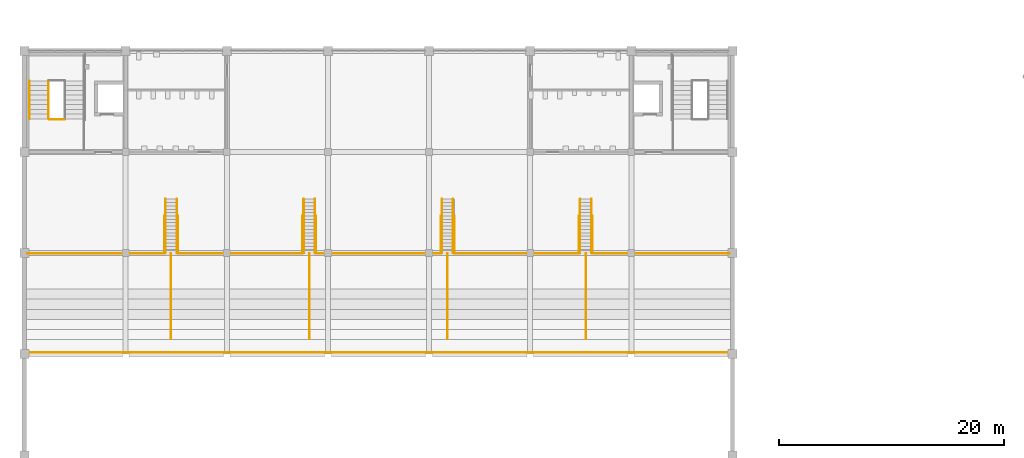
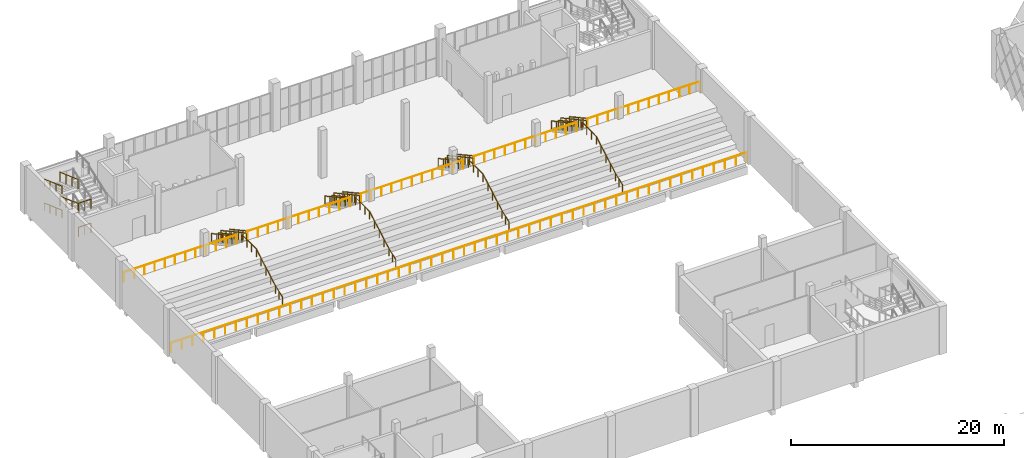
# One storey, part 175 of 185: 32 railings.
"""IFC4 building model written with IfcOpenShell, lengths in metres."""

from ifc_helpers import new_model, si_unit, direction, frame, origin, origin_2d, place, context, subcontext, project, spatial, circle, extrude, material, constituent, constituent_set, type_object, element, save


model = new_model("IFC4")

# Units and contexts
model_context = context("Model", 3, precision=1e-05, world=origin(), true_north=direction((0.0, 1.0)))
body_context = subcontext(model_context, "Body", "Model", "MODEL_VIEW")
ifc_project = project(units=[si_unit("LENGTHUNIT", "METRE"), si_unit("AREAUNIT", "SQUARE_METRE"), si_unit("VOLUMEUNIT", "CUBIC_METRE"), si_unit("PLANEANGLEUNIT", "RADIAN"), si_unit("MASSUNIT", "GRAM", prefix="KILO")], contexts=[model_context])

# Site, building, storey
site_placement = place(None, origin())
site = spatial("IfcSite", under=ifc_project, at=site_placement, CompositionType="ELEMENT")
building_placement = place(site_placement, origin())
building = spatial("IfcBuilding", under=site, at=building_placement, Name="Opaline Strait Convention Centre", CompositionType="ELEMENT")
storey_placement = place(building_placement, frame((0.0, 0.0, 6.0)))
storey = spatial("IfcBuildingStorey", under=building, at=storey_placement, Name="L01", CompositionType="ELEMENT", Elevation=6.0)

# Railings
ifc_material_1 = material(Name="Stainless steel 304", Category="steel")
railing_type_1 = type_object("IfcRailingType", Name="Aisle handrail 900", PredefinedType="HANDRAIL", material=ifc_material_1)
railing_1_placement = place(storey_placement, frame((22.050048828125, 154.35009765625, 0.25)))
element("IfcRailing", 1, at=railing_1_placement, inside=storey, type_object=railing_type_1, Name="PHR1 Circle aisle 1 handrail", PredefinedType="HANDRAIL", context=body_context, shape_type="SweptSolid", body=[
    extrude(circle(Radius=0.02392578125, at=origin_2d()), frame((0.0, 0.0, 0.8759765625), z_axis=(0.0, 0.934265159793, 0.3565790392), x_axis=(-1.0, 0.0, 0.0)), (0.0, 0.0, 1.0), 1.391357421875),
    extrude(circle(Radius=0.02392578125, at=origin_2d()), frame((0.0, 1.2998046875, 1.3720703125), z_axis=(0.0, 0.872096259375, 0.489334358475), x_axis=(-1.0, 0.0, 0.0)), (0.0, 0.0, 1.0), 2.06396484375),
    extrude(circle(Radius=0.02392578125, at=origin_2d()), frame((0.0, 3.099853515625, 2.3818359375), z_axis=(0.0, 0.867742963431, 0.497013228613), x_axis=(-1.0, 0.0, 0.0)), (0.0, 0.0, 1.0), 2.074462890625),
    extrude(circle(Radius=0.02392578125, at=origin_2d()), frame((0.0, 4.89990234375, 3.4130859375), z_axis=(0.0, 1.0, 0.0), x_axis=(-1.0, 0.0, 0.0)), (0.0, 0.0, 1.0), 2.699951171875),
    extrude(circle(Radius=0.02099609375, at=origin_2d()), origin(), (0.0, 0.0, 1.0), 0.851806640625),
    extrude(circle(Radius=0.02099609375, at=origin_2d()), frame((0.0, 0.64990234375, 0.248046875)), (0.0, 0.0, 1.0), 0.851806640625),
    extrude(circle(Radius=0.02099609375, at=origin_2d()), frame((0.0, 1.2998046875, 0.49609375)), (0.0, 0.0, 1.0), 0.851806640625),
    extrude(circle(Radius=0.02099609375, at=origin_2d()), frame((0.0, 2.19970703125, 1.0009765625)), (0.0, 0.0, 1.0), 0.851806640625),
    extrude(circle(Radius=0.02099609375, at=origin_2d()), frame((0.0, 3.099853515625, 1.506103515625)), (0.0, 0.0, 1.0), 0.851806640625),
    extrude(circle(Radius=0.02099609375, at=origin_2d()), frame((0.0, 4.0, 2.021484375)), (0.0, 0.0, 1.0), 0.851806640625),
    extrude(circle(Radius=0.02099609375, at=origin_2d()), frame((0.0, 4.89990234375, 2.537109375)), (0.0, 0.0, 1.0), 0.851806640625),
    extrude(circle(Radius=0.02099609375, at=origin_2d()), frame((0.0, 5.7998046875, 2.537109375)), (0.0, 0.0, 1.0), 0.851806640625),
    extrude(circle(Radius=0.02099609375, at=origin_2d()), frame((0.0, 6.699951171875, 2.537109375)), (0.0, 0.0, 1.0), 0.851806640625),
    extrude(circle(Radius=0.02099609375, at=origin_2d()), frame((0.0, 7.599853515625, 2.537109375)), (0.0, 0.0, 1.0), 0.851806640625),
])
railing_2_placement = place(storey_placement, frame((34.35009765625, 154.35009765625, 0.25)))
element("IfcRailing", 2, at=railing_2_placement, inside=storey, type_object=railing_type_1, Name="PHR1 Circle aisle 2 handrail", PredefinedType="HANDRAIL", context=body_context, shape_type="SweptSolid", body=[
    extrude(circle(Radius=0.02392578125, at=origin_2d()), frame((0.0, 0.0, 0.8759765625), z_axis=(0.0, 0.934265159793, 0.3565790392), x_axis=(-1.0, 0.0, 0.0)), (0.0, 0.0, 1.0), 1.391357421875),
    extrude(circle(Radius=0.02392578125, at=origin_2d()), frame((0.0, 1.2998046875, 1.3720703125), z_axis=(0.0, 0.872096259375, 0.489334358475), x_axis=(-1.0, 0.0, 0.0)), (0.0, 0.0, 1.0), 2.06396484375),
    extrude(circle(Radius=0.02392578125, at=origin_2d()), frame((0.0, 3.099853515625, 2.3818359375), z_axis=(0.0, 0.867742963431, 0.497013228613), x_axis=(-1.0, 0.0, 0.0)), (0.0, 0.0, 1.0), 2.074462890625),
    extrude(circle(Radius=0.02392578125, at=origin_2d()), frame((0.0, 4.89990234375, 3.4130859375), z_axis=(0.0, 1.0, 0.0), x_axis=(-1.0, 0.0, 0.0)), (0.0, 0.0, 1.0), 2.699951171875),
    extrude(circle(Radius=0.02099609375, at=origin_2d()), origin(), (0.0, 0.0, 1.0), 0.851806640625),
    extrude(circle(Radius=0.02099609375, at=origin_2d()), frame((0.0, 0.64990234375, 0.248046875)), (0.0, 0.0, 1.0), 0.851806640625),
    extrude(circle(Radius=0.02099609375, at=origin_2d()), frame((0.0, 1.2998046875, 0.49609375)), (0.0, 0.0, 1.0), 0.851806640625),
    extrude(circle(Radius=0.02099609375, at=origin_2d()), frame((0.0, 2.19970703125, 1.0009765625)), (0.0, 0.0, 1.0), 0.851806640625),
    extrude(circle(Radius=0.02099609375, at=origin_2d()), frame((0.0, 3.099853515625, 1.506103515625)), (0.0, 0.0, 1.0), 0.851806640625),
    extrude(circle(Radius=0.02099609375, at=origin_2d()), frame((0.0, 4.0, 2.021484375)), (0.0, 0.0, 1.0), 0.851806640625),
    extrude(circle(Radius=0.02099609375, at=origin_2d()), frame((0.0, 4.89990234375, 2.537109375)), (0.0, 0.0, 1.0), 0.851806640625),
    extrude(circle(Radius=0.02099609375, at=origin_2d()), frame((0.0, 5.7998046875, 2.537109375)), (0.0, 0.0, 1.0), 0.851806640625),
    extrude(circle(Radius=0.02099609375, at=origin_2d()), frame((0.0, 6.699951171875, 2.537109375)), (0.0, 0.0, 1.0), 0.851806640625),
    extrude(circle(Radius=0.02099609375, at=origin_2d()), frame((0.0, 7.599853515625, 2.537109375)), (0.0, 0.0, 1.0), 0.851806640625),
])
railing_3_placement = place(storey_placement, frame((46.64990234375, 154.35009765625, 0.25)))
element("IfcRailing", 3, at=railing_3_placement, inside=storey, type_object=railing_type_1, Name="PHR1 Circle aisle 3 handrail", PredefinedType="HANDRAIL", context=body_context, shape_type="SweptSolid", body=[
    extrude(circle(Radius=0.02392578125, at=origin_2d()), frame((0.0, 0.0, 0.8759765625), z_axis=(0.0, 0.934265159793, 0.3565790392), x_axis=(-1.0, 0.0, 0.0)), (0.0, 0.0, 1.0), 1.391357421875),
    extrude(circle(Radius=0.02392578125, at=origin_2d()), frame((0.0, 1.2998046875, 1.3720703125), z_axis=(0.0, 0.872096259375, 0.489334358475), x_axis=(-1.0, 0.0, 0.0)), (0.0, 0.0, 1.0), 2.06396484375),
    extrude(circle(Radius=0.02392578125, at=origin_2d()), frame((0.0, 3.099853515625, 2.3818359375), z_axis=(0.0, 0.867742963431, 0.497013228613), x_axis=(-1.0, 0.0, 0.0)), (0.0, 0.0, 1.0), 2.074462890625),
    extrude(circle(Radius=0.02392578125, at=origin_2d()), frame((0.0, 4.89990234375, 3.4130859375), z_axis=(0.0, 1.0, 0.0), x_axis=(-1.0, 0.0, 0.0)), (0.0, 0.0, 1.0), 2.699951171875),
    extrude(circle(Radius=0.02099609375, at=origin_2d()), origin(), (0.0, 0.0, 1.0), 0.851806640625),
    extrude(circle(Radius=0.02099609375, at=origin_2d()), frame((0.0, 0.64990234375, 0.248046875)), (0.0, 0.0, 1.0), 0.851806640625),
    extrude(circle(Radius=0.02099609375, at=origin_2d()), frame((0.0, 1.2998046875, 0.49609375)), (0.0, 0.0, 1.0), 0.851806640625),
    extrude(circle(Radius=0.02099609375, at=origin_2d()), frame((0.0, 2.19970703125, 1.0009765625)), (0.0, 0.0, 1.0), 0.851806640625),
    extrude(circle(Radius=0.02099609375, at=origin_2d()), frame((0.0, 3.099853515625, 1.506103515625)), (0.0, 0.0, 1.0), 0.851806640625),
    extrude(circle(Radius=0.02099609375, at=origin_2d()), frame((0.0, 4.0, 2.021484375)), (0.0, 0.0, 1.0), 0.851806640625),
    extrude(circle(Radius=0.02099609375, at=origin_2d()), frame((0.0, 4.89990234375, 2.537109375)), (0.0, 0.0, 1.0), 0.851806640625),
    extrude(circle(Radius=0.02099609375, at=origin_2d()), frame((0.0, 5.7998046875, 2.537109375)), (0.0, 0.0, 1.0), 0.851806640625),
    extrude(circle(Radius=0.02099609375, at=origin_2d()), frame((0.0, 6.699951171875, 2.537109375)), (0.0, 0.0, 1.0), 0.851806640625),
    extrude(circle(Radius=0.02099609375, at=origin_2d()), frame((0.0, 7.599853515625, 2.537109375)), (0.0, 0.0, 1.0), 0.851806640625),
])
railing_4_placement = place(storey_placement, frame((58.949951171875, 154.35009765625, 0.25)))
element("IfcRailing", 4, at=railing_4_placement, inside=storey, type_object=railing_type_1, Name="PHR1 Circle aisle 4 handrail", PredefinedType="HANDRAIL", context=body_context, shape_type="SweptSolid", body=[
    extrude(circle(Radius=0.02392578125, at=origin_2d()), frame((0.0, 0.0, 0.8759765625), z_axis=(0.0, 0.934265159793, 0.3565790392), x_axis=(-1.0, 0.0, 0.0)), (0.0, 0.0, 1.0), 1.391357421875),
    extrude(circle(Radius=0.02392578125, at=origin_2d()), frame((0.0, 1.2998046875, 1.3720703125), z_axis=(0.0, 0.872096259375, 0.489334358475), x_axis=(-1.0, 0.0, 0.0)), (0.0, 0.0, 1.0), 2.06396484375),
    extrude(circle(Radius=0.02392578125, at=origin_2d()), frame((0.0, 3.099853515625, 2.3818359375), z_axis=(0.0, 0.867742963431, 0.497013228613), x_axis=(-1.0, 0.0, 0.0)), (0.0, 0.0, 1.0), 2.074462890625),
    extrude(circle(Radius=0.02392578125, at=origin_2d()), frame((0.0, 4.89990234375, 3.4130859375), z_axis=(0.0, 1.0, 0.0), x_axis=(-1.0, 0.0, 0.0)), (0.0, 0.0, 1.0), 2.699951171875),
    extrude(circle(Radius=0.02099609375, at=origin_2d()), origin(), (0.0, 0.0, 1.0), 0.851806640625),
    extrude(circle(Radius=0.02099609375, at=origin_2d()), frame((0.0, 0.64990234375, 0.248046875)), (0.0, 0.0, 1.0), 0.851806640625),
    extrude(circle(Radius=0.02099609375, at=origin_2d()), frame((0.0, 1.2998046875, 0.49609375)), (0.0, 0.0, 1.0), 0.851806640625),
    extrude(circle(Radius=0.02099609375, at=origin_2d()), frame((0.0, 2.19970703125, 1.0009765625)), (0.0, 0.0, 1.0), 0.851806640625),
    extrude(circle(Radius=0.02099609375, at=origin_2d()), frame((0.0, 3.099853515625, 1.506103515625)), (0.0, 0.0, 1.0), 0.851806640625),
    extrude(circle(Radius=0.02099609375, at=origin_2d()), frame((0.0, 4.0, 2.021484375)), (0.0, 0.0, 1.0), 0.851806640625),
    extrude(circle(Radius=0.02099609375, at=origin_2d()), frame((0.0, 4.89990234375, 2.537109375)), (0.0, 0.0, 1.0), 0.851806640625),
    extrude(circle(Radius=0.02099609375, at=origin_2d()), frame((0.0, 5.7998046875, 2.537109375)), (0.0, 0.0, 1.0), 0.851806640625),
    extrude(circle(Radius=0.02099609375, at=origin_2d()), frame((0.0, 6.699951171875, 2.537109375)), (0.0, 0.0, 1.0), 0.851806640625),
    extrude(circle(Radius=0.02099609375, at=origin_2d()), frame((0.0, 7.599853515625, 2.537109375)), (0.0, 0.0, 1.0), 0.851806640625),
])
for number, where, name in (
    (5, (21.550048828125, 166.800048828125, 0.163818359375), "PHR1 Circle entry stair 1 handrail"),
    (6, (22.550048828125, 166.800048828125, 0.163818359375), "PHR1 Circle entry stair 1 handrail"),
    (7, (33.85009765625, 166.800048828125, 0.163818359375), "PHR1 Circle entry stair 2 handrail"),
    (8, (34.85009765625, 166.800048828125, 0.163818359375), "PHR1 Circle entry stair 2 handrail"),
    (9, (46.14990234375, 166.800048828125, 0.163818359375), "PHR1 Circle entry stair 3 handrail"),
    (10, (47.14990234375, 166.800048828125, 0.163818359375), "PHR1 Circle entry stair 3 handrail"),
    (11, (58.449951171875, 166.800048828125, 0.163818359375), "PHR1 Circle entry stair 4 handrail"),
    (12, (59.449951171875, 166.800048828125, 0.163818359375), "PHR1 Circle entry stair 4 handrail"),
):
    element("IfcRailing", number, at=place(storey_placement, frame(where)), inside=storey, type_object=railing_type_1, Name=name, PredefinedType="HANDRAIL", context=body_context, shape_type="SweptSolid", body=[
        extrude(circle(Radius=0.02392578125, at=origin_2d()), frame((0.0, 0.0, 0.8759765625), z_axis=(0.0, -0.877504682041, 0.4795680692), x_axis=(1.0, 0.0, 0.0)), (0.0, 0.0, 1.0), 5.47021484375),
        extrude(circle(Radius=0.02099609375, at=origin_2d()), origin(), (0.0, 0.0, 1.0), 0.851806640625),
        extrude(circle(Radius=0.02099609375, at=origin_2d()), frame((0.0, -0.9599609375, 0.524658203125)), (0.0, 0.0, 1.0), 0.851806640625),
        extrude(circle(Radius=0.02099609375, at=origin_2d()), frame((0.0, -1.919921875, 1.04931640625)), (0.0, 0.0, 1.0), 0.851806640625),
        extrude(circle(Radius=0.02099609375, at=origin_2d()), frame((0.0, -2.880126953125, 1.573974609375)), (0.0, 0.0, 1.0), 0.851806640625),
        extrude(circle(Radius=0.02099609375, at=origin_2d()), frame((0.0, -3.840087890625, 2.0986328125)), (0.0, 0.0, 1.0), 0.851806640625),
        extrude(circle(Radius=0.02099609375, at=origin_2d()), frame((0.0, -4.800048828125, 2.623291015625)), (0.0, 0.0, 1.0), 0.851806640625),
    ])
ifc_material_2 = material(Name="Steel Q355B", Category="steel")
ifc_constituent_1 = constituent(ifc_material_2, Name="Frame")
ifc_material_3 = material(Name="Safety glass, bonded interlayer", Category="glass")
ifc_constituent_2 = constituent(ifc_material_3, Name="Infill")
ifc_constituent_set = constituent_set(constituents=[ifc_constituent_1, ifc_constituent_2], Name="Steel Q355B, Safety glass, bonded interlayer")
railing_type_2 = type_object("IfcRailingType", Name="Seating guard 1100 steel and glass", PredefinedType="GUARDRAIL", material=ifc_constituent_set)
railing_5_placement = place(storey_placement, frame((9.25, 153.14990234375, 0.0)))
element("IfcRailing", 13, at=railing_5_placement, inside=storey, type_object=railing_type_2, Name="PGD1 circle front guard", PredefinedType="GUARDRAIL", context=body_context, shape_type="SweptSolid", body=[
    extrude(circle(Radius=0.02392578125, at=origin_2d()), frame((0.0, 0.0, 1.076171875), z_axis=(1.0, 0.0, 0.0), x_axis=(0.0, 1.0, 0.0)), (0.0, 0.0, 1.0), 62.5),
    extrude(circle(Radius=0.02099609375, at=origin_2d()), origin(), (0.0, 0.0, 1.0), 1.052001953125),
    extrude(circle(Radius=0.02099609375, at=origin_2d()), frame((1.17919921875, 0.0, 0.0)), (0.0, 0.0, 1.0), 1.052001953125),
    extrude(circle(Radius=0.02099609375, at=origin_2d()), frame((2.3583984375, 0.0, 0.0)), (0.0, 0.0, 1.0), 1.052001953125),
    extrude(circle(Radius=0.02099609375, at=origin_2d()), frame((3.537841796875, 0.0, 0.0)), (0.0, 0.0, 1.0), 1.052001953125),
    extrude(circle(Radius=0.02099609375, at=origin_2d()), frame((4.717041015625, 0.0, 0.0)), (0.0, 0.0, 1.0), 1.052001953125),
    extrude(circle(Radius=0.02099609375, at=origin_2d()), frame((5.896240234375, 0.0, 0.0)), (0.0, 0.0, 1.0), 1.052001953125),
    extrude(circle(Radius=0.02099609375, at=origin_2d()), frame((7.075439453125, 0.0, 0.0)), (0.0, 0.0, 1.0), 1.052001953125),
    extrude(circle(Radius=0.02099609375, at=origin_2d()), frame((8.254638671875, 0.0, 0.0)), (0.0, 0.0, 1.0), 1.052001953125),
    extrude(circle(Radius=0.02099609375, at=origin_2d()), frame((9.43408203125, 0.0, 0.0)), (0.0, 0.0, 1.0), 1.052001953125),
    extrude(circle(Radius=0.02099609375, at=origin_2d()), frame((10.61328125, 0.0, 0.0)), (0.0, 0.0, 1.0), 1.052001953125),
    extrude(circle(Radius=0.02099609375, at=origin_2d()), frame((11.79248046875, 0.0, 0.0)), (0.0, 0.0, 1.0), 1.052001953125),
    extrude(circle(Radius=0.02099609375, at=origin_2d()), frame((12.9716796875, 0.0, 0.0)), (0.0, 0.0, 1.0), 1.052001953125),
    extrude(circle(Radius=0.02099609375, at=origin_2d()), frame((14.15087890625, 0.0, 0.0)), (0.0, 0.0, 1.0), 1.052001953125),
    extrude(circle(Radius=0.02099609375, at=origin_2d()), frame((15.330078125, 0.0, 0.0)), (0.0, 0.0, 1.0), 1.052001953125),
    extrude(circle(Radius=0.02099609375, at=origin_2d()), frame((16.509521484375, 0.0, 0.0)), (0.0, 0.0, 1.0), 1.052001953125),
    extrude(circle(Radius=0.02099609375, at=origin_2d()), frame((17.688720703125, 0.0, 0.0)), (0.0, 0.0, 1.0), 1.052001953125),
    extrude(circle(Radius=0.02099609375, at=origin_2d()), frame((18.867919921875, 0.0, 0.0)), (0.0, 0.0, 1.0), 1.052001953125),
    extrude(circle(Radius=0.02099609375, at=origin_2d()), frame((20.047119140625, 0.0, 0.0)), (0.0, 0.0, 1.0), 1.052001953125),
    extrude(circle(Radius=0.02099609375, at=origin_2d()), frame((21.226318359375, 0.0, 0.0)), (0.0, 0.0, 1.0), 1.052001953125),
    extrude(circle(Radius=0.02099609375, at=origin_2d()), frame((22.40576171875, 0.0, 0.0)), (0.0, 0.0, 1.0), 1.052001953125),
    extrude(circle(Radius=0.02099609375, at=origin_2d()), frame((23.5849609375, 0.0, 0.0)), (0.0, 0.0, 1.0), 1.052001953125),
    extrude(circle(Radius=0.02099609375, at=origin_2d()), frame((24.76416015625, 0.0, 0.0)), (0.0, 0.0, 1.0), 1.052001953125),
    extrude(circle(Radius=0.02099609375, at=origin_2d()), frame((25.943359375, 0.0, 0.0)), (0.0, 0.0, 1.0), 1.052001953125),
    extrude(circle(Radius=0.02099609375, at=origin_2d()), frame((27.12255859375, 0.0, 0.0)), (0.0, 0.0, 1.0), 1.052001953125),
    extrude(circle(Radius=0.02099609375, at=origin_2d()), frame((28.302001953125, 0.0, 0.0)), (0.0, 0.0, 1.0), 1.052001953125),
    extrude(circle(Radius=0.02099609375, at=origin_2d()), frame((29.481201171875, 0.0, 0.0)), (0.0, 0.0, 1.0), 1.052001953125),
    extrude(circle(Radius=0.02099609375, at=origin_2d()), frame((30.660400390625, 0.0, 0.0)), (0.0, 0.0, 1.0), 1.052001953125),
    extrude(circle(Radius=0.02099609375, at=origin_2d()), frame((31.839599609375, 0.0, 0.0)), (0.0, 0.0, 1.0), 1.052001953125),
    extrude(circle(Radius=0.02099609375, at=origin_2d()), frame((33.018798828125, 0.0, 0.0)), (0.0, 0.0, 1.0), 1.052001953125),
    extrude(circle(Radius=0.02099609375, at=origin_2d()), frame((34.197998046875, 0.0, 0.0)), (0.0, 0.0, 1.0), 1.052001953125),
    extrude(circle(Radius=0.02099609375, at=origin_2d()), frame((35.37744140625, 0.0, 0.0)), (0.0, 0.0, 1.0), 1.052001953125),
    extrude(circle(Radius=0.02099609375, at=origin_2d()), frame((36.556640625, 0.0, 0.0)), (0.0, 0.0, 1.0), 1.052001953125),
    extrude(circle(Radius=0.02099609375, at=origin_2d()), frame((37.73583984375, 0.0, 0.0)), (0.0, 0.0, 1.0), 1.052001953125),
    extrude(circle(Radius=0.02099609375, at=origin_2d()), frame((38.9150390625, 0.0, 0.0)), (0.0, 0.0, 1.0), 1.052001953125),
    extrude(circle(Radius=0.02099609375, at=origin_2d()), frame((40.09423828125, 0.0, 0.0)), (0.0, 0.0, 1.0), 1.052001953125),
    extrude(circle(Radius=0.02099609375, at=origin_2d()), frame((41.273681640625, 0.0, 0.0)), (0.0, 0.0, 1.0), 1.052001953125),
    extrude(circle(Radius=0.02099609375, at=origin_2d()), frame((42.452880859375, 0.0, 0.0)), (0.0, 0.0, 1.0), 1.052001953125),
    extrude(circle(Radius=0.02099609375, at=origin_2d()), frame((43.632080078125, 0.0, 0.0)), (0.0, 0.0, 1.0), 1.052001953125),
    extrude(circle(Radius=0.02099609375, at=origin_2d()), frame((44.811279296875, 0.0, 0.0)), (0.0, 0.0, 1.0), 1.052001953125),
    extrude(circle(Radius=0.02099609375, at=origin_2d()), frame((45.990478515625, 0.0, 0.0)), (0.0, 0.0, 1.0), 1.052001953125),
    extrude(circle(Radius=0.02099609375, at=origin_2d()), frame((47.169921875, 0.0, 0.0)), (0.0, 0.0, 1.0), 1.052001953125),
    extrude(circle(Radius=0.02099609375, at=origin_2d()), frame((48.34912109375, 0.0, 0.0)), (0.0, 0.0, 1.0), 1.052001953125),
    extrude(circle(Radius=0.02099609375, at=origin_2d()), frame((49.5283203125, 0.0, 0.0)), (0.0, 0.0, 1.0), 1.052001953125),
    extrude(circle(Radius=0.02099609375, at=origin_2d()), frame((50.70751953125, 0.0, 0.0)), (0.0, 0.0, 1.0), 1.052001953125),
    extrude(circle(Radius=0.02099609375, at=origin_2d()), frame((51.88671875, 0.0, 0.0)), (0.0, 0.0, 1.0), 1.052001953125),
    extrude(circle(Radius=0.02099609375, at=origin_2d()), frame((53.06591796875, 0.0, 0.0)), (0.0, 0.0, 1.0), 1.052001953125),
    extrude(circle(Radius=0.02099609375, at=origin_2d()), frame((54.245361328125, 0.0, 0.0)), (0.0, 0.0, 1.0), 1.052001953125),
    extrude(circle(Radius=0.02099609375, at=origin_2d()), frame((55.424560546875, 0.0, 0.0)), (0.0, 0.0, 1.0), 1.052001953125),
    extrude(circle(Radius=0.02099609375, at=origin_2d()), frame((56.603759765625, 0.0, 0.0)), (0.0, 0.0, 1.0), 1.052001953125),
    extrude(circle(Radius=0.02099609375, at=origin_2d()), frame((57.782958984375, 0.0, 0.0)), (0.0, 0.0, 1.0), 1.052001953125),
    extrude(circle(Radius=0.02099609375, at=origin_2d()), frame((58.962158203125, 0.0, 0.0)), (0.0, 0.0, 1.0), 1.052001953125),
    extrude(circle(Radius=0.02099609375, at=origin_2d()), frame((60.1416015625, 0.0, 0.0)), (0.0, 0.0, 1.0), 1.052001953125),
    extrude(circle(Radius=0.02099609375, at=origin_2d()), frame((61.32080078125, 0.0, 0.0)), (0.0, 0.0, 1.0), 1.052001953125),
    extrude(circle(Radius=0.02099609375, at=origin_2d()), frame((62.5, 0.0, 0.0)), (0.0, 0.0, 1.0), 1.052001953125),
])
for number, where, name in (
    (14, (21.449951171875, 165.300048828125, 0.983642578125), "PGD1 Circle entry stair 1 guard"),
    (15, (22.64990234375, 165.300048828125, 0.983642578125), "PGD1 Circle entry stair 1 guard"),
    (16, (33.75, 165.300048828125, 0.983642578125), "PGD1 Circle entry stair 2 guard"),
    (17, (34.949951171875, 165.300048828125, 0.983642578125), "PGD1 Circle entry stair 2 guard"),
    (18, (46.050048828125, 165.300048828125, 0.983642578125), "PGD1 Circle entry stair 3 guard"),
    (19, (47.25, 165.300048828125, 0.983642578125), "PGD1 Circle entry stair 3 guard"),
    (20, (58.35009765625, 165.300048828125, 0.983642578125), "PGD1 Circle entry stair 4 guard"),
    (21, (59.550048828125, 165.300048828125, 0.983642578125), "PGD1 Circle entry stair 4 guard"),
):
    element("IfcRailing", number, at=place(storey_placement, frame(where)), inside=storey, type_object=railing_type_2, Name=name, PredefinedType="GUARDRAIL", context=body_context, shape_type="SweptSolid", body=[
        extrude(circle(Radius=0.02392578125, at=origin_2d()), frame((0.0, 0.0, 1.076171875), z_axis=(0.0, -0.877510737519, 0.479556988833), x_axis=(1.0, 0.0, 0.0)), (0.0, 0.0, 1.0), 3.7607421875),
        extrude(circle(Radius=0.02099609375, at=origin_2d()), origin(), (0.0, 0.0, 1.0), 1.052001953125),
        extrude(circle(Radius=0.02099609375, at=origin_2d()), frame((0.0, -0.824951171875, 0.450927734375)), (0.0, 0.0, 1.0), 1.052001953125),
        extrude(circle(Radius=0.02099609375, at=origin_2d()), frame((0.0, -1.64990234375, 0.90185546875)), (0.0, 0.0, 1.0), 1.052001953125),
        extrude(circle(Radius=0.02099609375, at=origin_2d()), frame((0.0, -2.47509765625, 1.3525390625)), (0.0, 0.0, 1.0), 1.052001953125),
        extrude(circle(Radius=0.02099609375, at=origin_2d()), frame((0.0, -3.300048828125, 1.803466796875)), (0.0, 0.0, 1.0), 1.052001953125),
    ])
railing_6_placement = place(storey_placement, frame((9.25, 161.949951171875, 2.787109375)))
element("IfcRailing", 22, at=railing_6_placement, inside=storey, type_object=railing_type_2, Name="PGD1 Circle rear cross aisle guard 1", PredefinedType="GUARDRAIL", context=body_context, shape_type="SweptSolid", body=[
    extrude(circle(Radius=0.02392578125, at=origin_2d()), frame((0.0, 0.0, 1.076171875), z_axis=(1.0, 0.0, 0.0), x_axis=(0.0, 1.0, 0.0)), (0.0, 0.0, 1.0), 12.199951171875),
    extrude(circle(Radius=0.02099609375, at=origin_2d()), origin(), (0.0, 0.0, 1.0), 1.052001953125),
    extrude(circle(Radius=0.02099609375, at=origin_2d()), frame((1.109130859375, 0.0, 0.0)), (0.0, 0.0, 1.0), 1.052001953125),
    extrude(circle(Radius=0.02099609375, at=origin_2d()), frame((2.21826171875, 0.0, 0.0)), (0.0, 0.0, 1.0), 1.052001953125),
    extrude(circle(Radius=0.02099609375, at=origin_2d()), frame((3.3271484375, 0.0, 0.0)), (0.0, 0.0, 1.0), 1.052001953125),
    extrude(circle(Radius=0.02099609375, at=origin_2d()), frame((4.436279296875, 0.0, 0.0)), (0.0, 0.0, 1.0), 1.052001953125),
    extrude(circle(Radius=0.02099609375, at=origin_2d()), frame((5.54541015625, 0.0, 0.0)), (0.0, 0.0, 1.0), 1.052001953125),
    extrude(circle(Radius=0.02099609375, at=origin_2d()), frame((6.654541015625, 0.0, 0.0)), (0.0, 0.0, 1.0), 1.052001953125),
    extrude(circle(Radius=0.02099609375, at=origin_2d()), frame((7.763671875, 0.0, 0.0)), (0.0, 0.0, 1.0), 1.052001953125),
    extrude(circle(Radius=0.02099609375, at=origin_2d()), frame((8.872802734375, 0.0, 0.0)), (0.0, 0.0, 1.0), 1.052001953125),
    extrude(circle(Radius=0.02099609375, at=origin_2d()), frame((9.981689453125, 0.0, 0.0)), (0.0, 0.0, 1.0), 1.052001953125),
    extrude(circle(Radius=0.02099609375, at=origin_2d()), frame((11.0908203125, 0.0, 0.0)), (0.0, 0.0, 1.0), 1.052001953125),
    extrude(circle(Radius=0.02099609375, at=origin_2d()), frame((12.199951171875, 0.0, 0.0)), (0.0, 0.0, 1.0), 1.052001953125),
])
for number, where, name in (
    (23, (22.64990234375, 161.949951171875, 2.787109375), "PGD1 Circle rear cross aisle guard 2"),
    (24, (34.949951171875, 161.949951171875, 2.787109375), "PGD1 Circle rear cross aisle guard 3"),
    (25, (47.25, 161.949951171875, 2.787109375), "PGD1 Circle rear cross aisle guard 4"),
):
    element("IfcRailing", number, at=place(storey_placement, frame(where)), inside=storey, type_object=railing_type_2, Name=name, PredefinedType="GUARDRAIL", context=body_context, shape_type="SweptSolid", body=[
        extrude(circle(Radius=0.02392578125, at=origin_2d()), frame((0.0, 0.0, 1.076171875), z_axis=(1.0, 0.0, 0.0), x_axis=(0.0, 1.0, 0.0)), (0.0, 0.0, 1.0), 11.10009765625),
        extrude(circle(Radius=0.02099609375, at=origin_2d()), origin(), (0.0, 0.0, 1.0), 1.052001953125),
        extrude(circle(Radius=0.02099609375, at=origin_2d()), frame((1.110107421875, 0.0, 0.0)), (0.0, 0.0, 1.0), 1.052001953125),
        extrude(circle(Radius=0.02099609375, at=origin_2d()), frame((2.219970703125, 0.0, 0.0)), (0.0, 0.0, 1.0), 1.052001953125),
        extrude(circle(Radius=0.02099609375, at=origin_2d()), frame((3.330078125, 0.0, 0.0)), (0.0, 0.0, 1.0), 1.052001953125),
        extrude(circle(Radius=0.02099609375, at=origin_2d()), frame((4.43994140625, 0.0, 0.0)), (0.0, 0.0, 1.0), 1.052001953125),
        extrude(circle(Radius=0.02099609375, at=origin_2d()), frame((5.550048828125, 0.0, 0.0)), (0.0, 0.0, 1.0), 1.052001953125),
        extrude(circle(Radius=0.02099609375, at=origin_2d()), frame((6.66015625, 0.0, 0.0)), (0.0, 0.0, 1.0), 1.052001953125),
        extrude(circle(Radius=0.02099609375, at=origin_2d()), frame((7.77001953125, 0.0, 0.0)), (0.0, 0.0, 1.0), 1.052001953125),
        extrude(circle(Radius=0.02099609375, at=origin_2d()), frame((8.880126953125, 0.0, 0.0)), (0.0, 0.0, 1.0), 1.052001953125),
        extrude(circle(Radius=0.02099609375, at=origin_2d()), frame((9.989990234375, 0.0, 0.0)), (0.0, 0.0, 1.0), 1.052001953125),
        extrude(circle(Radius=0.02099609375, at=origin_2d()), frame((11.10009765625, 0.0, 0.0)), (0.0, 0.0, 1.0), 1.052001953125),
    ])
railing_7_placement = place(storey_placement, frame((59.550048828125, 161.949951171875, 2.787109375)))
element("IfcRailing", 26, at=railing_7_placement, inside=storey, type_object=railing_type_2, Name="PGD1 Circle rear cross aisle guard 5", PredefinedType="GUARDRAIL", context=body_context, shape_type="SweptSolid", body=[
    extrude(circle(Radius=0.02392578125, at=origin_2d()), frame((0.0, 0.0, 1.076171875), z_axis=(1.0, 0.0, 0.0), x_axis=(0.0, 1.0, 0.0)), (0.0, 0.0, 1.0), 12.199951171875),
    extrude(circle(Radius=0.02099609375, at=origin_2d()), origin(), (0.0, 0.0, 1.0), 1.052001953125),
    extrude(circle(Radius=0.02099609375, at=origin_2d()), frame((1.109130859375, 0.0, 0.0)), (0.0, 0.0, 1.0), 1.052001953125),
    extrude(circle(Radius=0.02099609375, at=origin_2d()), frame((2.21826171875, 0.0, 0.0)), (0.0, 0.0, 1.0), 1.052001953125),
    extrude(circle(Radius=0.02099609375, at=origin_2d()), frame((3.3271484375, 0.0, 0.0)), (0.0, 0.0, 1.0), 1.052001953125),
    extrude(circle(Radius=0.02099609375, at=origin_2d()), frame((4.436279296875, 0.0, 0.0)), (0.0, 0.0, 1.0), 1.052001953125),
    extrude(circle(Radius=0.02099609375, at=origin_2d()), frame((5.54541015625, 0.0, 0.0)), (0.0, 0.0, 1.0), 1.052001953125),
    extrude(circle(Radius=0.02099609375, at=origin_2d()), frame((6.654541015625, 0.0, 0.0)), (0.0, 0.0, 1.0), 1.052001953125),
    extrude(circle(Radius=0.02099609375, at=origin_2d()), frame((7.763671875, 0.0, 0.0)), (0.0, 0.0, 1.0), 1.052001953125),
    extrude(circle(Radius=0.02099609375, at=origin_2d()), frame((8.872802734375, 0.0, 0.0)), (0.0, 0.0, 1.0), 1.052001953125),
    extrude(circle(Radius=0.02099609375, at=origin_2d()), frame((9.981689453125, 0.0, 0.0)), (0.0, 0.0, 1.0), 1.052001953125),
    extrude(circle(Radius=0.02099609375, at=origin_2d()), frame((11.0908203125, 0.0, 0.0)), (0.0, 0.0, 1.0), 1.052001953125),
    extrude(circle(Radius=0.02099609375, at=origin_2d()), frame((12.199951171875, 0.0, 0.0)), (0.0, 0.0, 1.0), 1.052001953125),
])
railing_8_placement = place(storey_placement, frame((11.14990234375, 177.31005859375, 1.52783203125)))
element("IfcRailing", 27, at=railing_8_placement, inside=storey, type_object=railing_type_2, Name="L01 PSR3 stair guard 4", PredefinedType="GUARDRAIL", context=body_context, shape_type="SweptSolid", body=[
    extrude(circle(Radius=0.02392578125, at=origin_2d()), frame((0.0, 0.0, 1.076171875), z_axis=(0.0, -0.939765509453, 0.341819816924), x_axis=(1.0, 0.0, 0.0)), (0.0, 0.0, 1.0), 3.575439453125),
    extrude(circle(Radius=0.02099609375, at=origin_2d()), origin(), (0.0, 0.0, 1.0), 1.052001953125),
    extrude(circle(Radius=0.02099609375, at=origin_2d()), frame((0.0, -1.1201171875, 0.407470703125)), (0.0, 0.0, 1.0), 1.052001953125),
    extrude(circle(Radius=0.02099609375, at=origin_2d()), frame((0.0, -2.239990234375, 0.814697265625)), (0.0, 0.0, 1.0), 1.052001953125),
    extrude(circle(Radius=0.02099609375, at=origin_2d()), frame((0.0, -3.360107421875, 1.22216796875)), (0.0, 0.0, 1.0), 1.052001953125),
])
railing_9_placement = place(storey_placement, frame((12.550048828125, 173.89990234375, 2.75)))
element("IfcRailing", 28, at=railing_9_placement, inside=storey, type_object=railing_type_2, Name="L01 PSR3 stair guard 5", PredefinedType="GUARDRAIL", context=body_context, shape_type="SweptSolid", body=[
    extrude(circle(Radius=0.02392578125, at=origin_2d()), frame((0.0, 0.0, 1.076171875), z_axis=(-1.0, 0.0, 0.0), x_axis=(0.0, -1.0, 0.0)), (0.0, 0.0, 1.0), 1.35009765625),
    extrude(circle(Radius=0.02099609375, at=origin_2d()), origin(), (0.0, 0.0, 1.0), 1.052001953125),
    extrude(circle(Radius=0.02099609375, at=origin_2d()), frame((-0.675048828125, 0.0, 0.0)), (0.0, 0.0, 1.0), 1.052001953125),
    extrude(circle(Radius=0.02099609375, at=origin_2d()), frame((-1.35009765625, 0.0, 0.0)), (0.0, 0.0, 1.0), 1.052001953125),
])
railing_10_placement = place(storey_placement, frame((11.14990234375, 177.31005859375, 4.27783203125)))
element("IfcRailing", 29, at=railing_10_placement, inside=storey, type_object=railing_type_2, Name="L01 PSR3 stair guard 10", PredefinedType="GUARDRAIL", context=body_context, shape_type="SweptSolid", body=[
    extrude(circle(Radius=0.02392578125, at=origin_2d()), frame((0.0, 0.0, 1.076171875), z_axis=(0.0, -0.939765509453, 0.341819816924), x_axis=(1.0, 0.0, 0.0)), (0.0, 0.0, 1.0), 3.575439453125),
    extrude(circle(Radius=0.02099609375, at=origin_2d()), origin(), (0.0, 0.0, 1.0), 1.052001953125),
    extrude(circle(Radius=0.02099609375, at=origin_2d()), frame((0.0, -1.1201171875, 0.407470703125)), (0.0, 0.0, 1.0), 1.052001953125),
    extrude(circle(Radius=0.02099609375, at=origin_2d()), frame((0.0, -2.239990234375, 0.814697265625)), (0.0, 0.0, 1.0), 1.052001953125),
    extrude(circle(Radius=0.02099609375, at=origin_2d()), frame((0.0, -3.360107421875, 1.22216796875)), (0.0, 0.0, 1.0), 1.052001953125),
])
railing_11_placement = place(storey_placement, frame((12.550048828125, 173.89990234375, 0.0)))
element("IfcRailing", 30, at=railing_11_placement, inside=storey, type_object=railing_type_2, Name="L01 PSR3 stair guard 11", PredefinedType="GUARDRAIL", context=body_context, shape_type="SweptSolid", body=[
    extrude(circle(Radius=0.02392578125, at=origin_2d()), frame((0.0, 0.0, 1.076171875), z_axis=(-1.0, 0.0, 0.0), x_axis=(0.0, -1.0, 0.0)), (0.0, 0.0, 1.0), 1.35009765625),
    extrude(circle(Radius=0.02099609375, at=origin_2d()), origin(), (0.0, 0.0, 1.0), 1.052001953125),
    extrude(circle(Radius=0.02099609375, at=origin_2d()), frame((-0.675048828125, 0.0, 0.0)), (0.0, 0.0, 1.0), 1.052001953125),
    extrude(circle(Radius=0.02099609375, at=origin_2d()), frame((-1.35009765625, 0.0, 0.0)), (0.0, 0.0, 1.0), 1.052001953125),
])
railing_type_3 = type_object("IfcRailingType", Name="Stair handrail 900", PredefinedType="HANDRAIL", material=ifc_material_1)
for number, where, name in (
    (31, (9.449951171875, 177.31005859375, 1.52783203125), "L01 PSR3 stair handrail 2"),
    (32, (9.449951171875, 177.31005859375, 4.27783203125), "L01 PSR3 stair handrail 4"),
):
    element("IfcRailing", number, at=place(storey_placement, frame(where)), inside=storey, type_object=railing_type_3, Name=name, PredefinedType="HANDRAIL", context=body_context, shape_type="SweptSolid", body=[
        extrude(circle(Radius=0.02392578125, at=origin_2d()), frame((0.0, 0.0, 0.8759765625), z_axis=(0.0, -0.939765509453, 0.341819816924), x_axis=(1.0, 0.0, 0.0)), (0.0, 0.0, 1.0), 3.575439453125),
        extrude(circle(Radius=0.02099609375, at=origin_2d()), origin(), (0.0, 0.0, 1.0), 0.851806640625),
        extrude(circle(Radius=0.02099609375, at=origin_2d()), frame((0.0, -1.1201171875, 0.407470703125)), (0.0, 0.0, 1.0), 0.851806640625),
        extrude(circle(Radius=0.02099609375, at=origin_2d()), frame((0.0, -2.239990234375, 0.814697265625)), (0.0, 0.0, 1.0), 0.851806640625),
        extrude(circle(Radius=0.02099609375, at=origin_2d()), frame((0.0, -3.360107421875, 1.22216796875)), (0.0, 0.0, 1.0), 0.851806640625),
    ])

save(model, "model.ifc")
